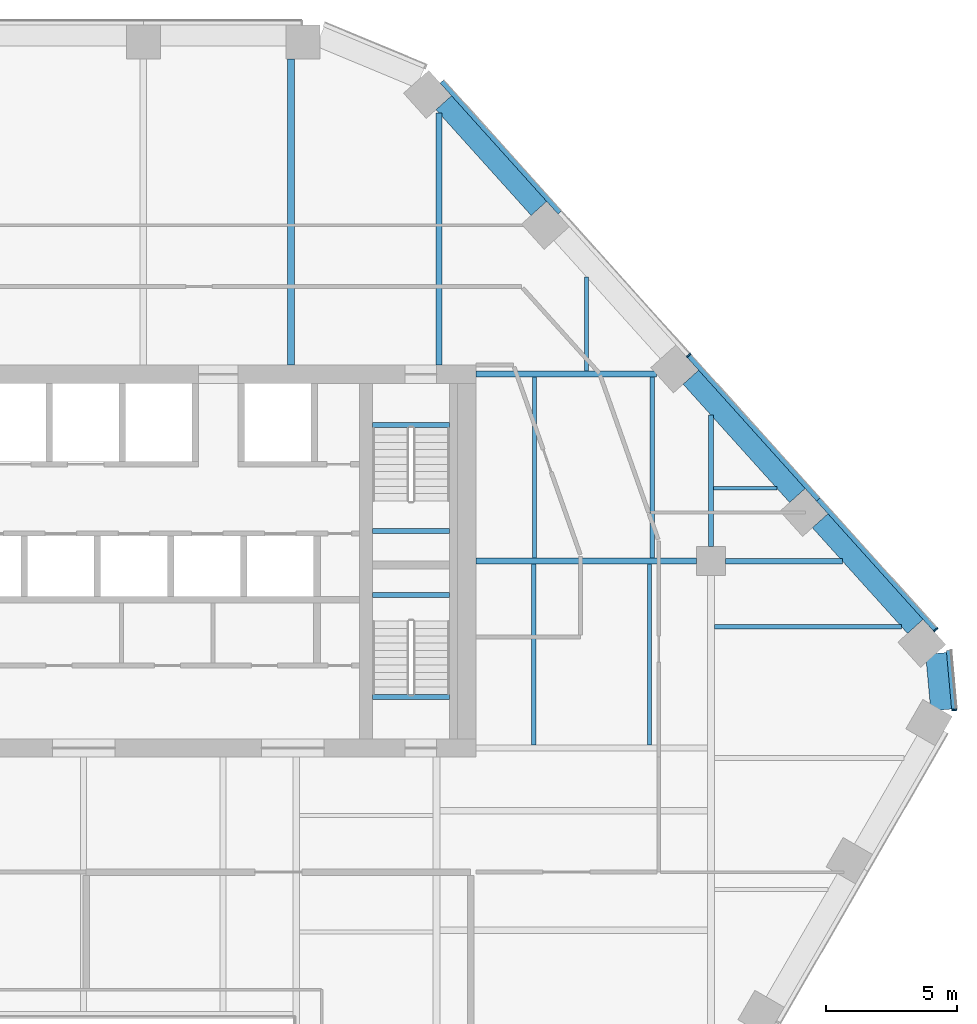
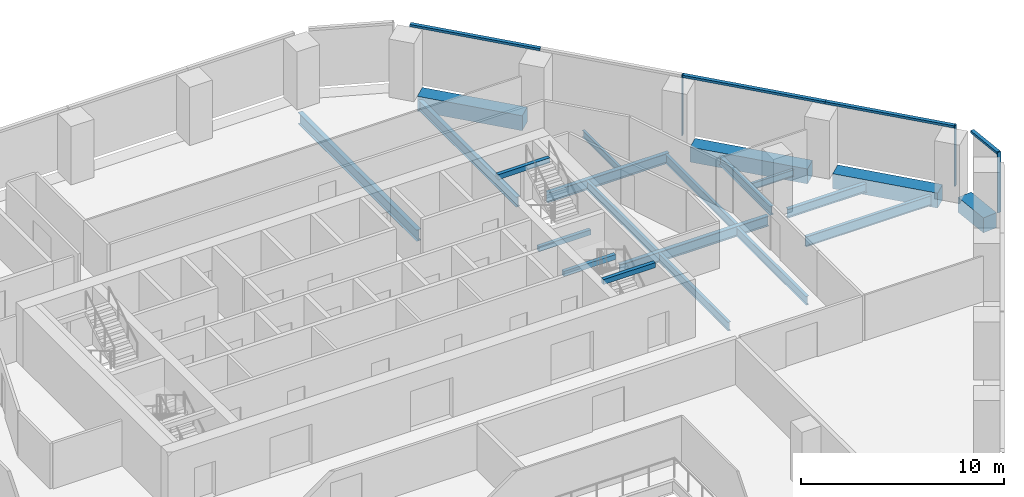
# One storey, part 8 of 17: 21 beams, 7 members, 2 elements without a shape of their own.
"""IFC4 building model written with IfcOpenShell, lengths in metres."""

import ifcopenshell
import ifcopenshell.guid

model = None  # the IFC model being written
_history = None  # IfcOwnerHistory: only IFC2X3 demands one
_inside = {}  # id of a spatial element -> (the spatial element, [elements in it])
_under = {}  # id of a project, library or spatial element -> (it, [spatial elements below it])
_declared = {}  # id of a project -> (the project, [libraries it declares])
_typed = {}  # id of a type object -> (the type object, [elements of that type])
_made_of = {}  # id of a material, layer set ... -> (it, [elements and type objects made of it])


def new_model(schema):
    """Start an empty IFC model of exactly this schema.

    Asked for "IFC4X3", IfcOpenShell would pick the latest addendum, in which some entities
    have other attributes; the version numbers below select the first issue.
    IFC2X3 requires an IfcOwnerHistory on every rooted entity: one is made here for all.
    """
    global model, _history
    if schema == "IFC4X3":
        model = ifcopenshell.file(schema_version=(4, 3, 0, 0))
    else:
        model = ifcopenshell.file(schema=schema)
    _inside.clear()
    _under.clear()
    _declared.clear()
    _typed.clear()
    _made_of.clear()
    _history = None
    if model.schema == "IFC2X3":
        org = make("IfcOrganization", Name="unknown")
        user = make(
            "IfcPersonAndOrganization",
            ThePerson=make("IfcPerson", FamilyName="unknown"),
            TheOrganization=org,
        )
        app = make(
            "IfcApplication",
            ApplicationDeveloper=org,
            Version="unknown",
            ApplicationFullName="unknown",
            ApplicationIdentifier="unknown",
        )
        _history = make(
            "IfcOwnerHistory",
            OwningUser=user,
            OwningApplication=app,
            ChangeAction="ADDED",
            CreationDate=0,
        )
    return model


def make(cls, **values):
    """One entity of the class cls with the attributes given. An attribute that is None is left unset."""
    return model.create_entity(
        cls, **{name: value for name, value in values.items() if value is not None}
    )


def rooted(cls, **values):
    """An entity with a GlobalId (a new one), such as an element, a storey or a relation."""
    return make(cls, GlobalId=ifcopenshell.guid.new(), OwnerHistory=_history, **values)


def si_unit(unit_type, name, prefix=None):
    """IfcSIUnit, for example si_unit("LENGTHUNIT", "METRE", prefix="MILLI")."""
    return make("IfcSIUnit", UnitType=unit_type, Prefix=prefix, Name=name)


def assignment(units):
    """IfcUnitAssignment: the units of a project."""
    return None if units is None else make("IfcUnitAssignment", Units=units)


def point(xyz):
    """IfcCartesianPoint."""
    return None if xyz is None else make("IfcCartesianPoint", Coordinates=xyz)


def direction(xyz):
    """IfcDirection."""
    return None if xyz is None else make("IfcDirection", DirectionRatios=xyz)


def frame(location, z_axis=None, x_axis=None):
    """IfcAxis2Placement3D, a coordinate frame: its origin and axes. An axis left out is left unset."""
    return make(
        "IfcAxis2Placement3D",
        Location=point(location),
        Axis=direction(z_axis),
        RefDirection=direction(x_axis),
    )


def frame_2d(location, x_axis=None):
    """IfcAxis2Placement2D, a coordinate frame in the plane: its origin and x axis."""
    return make(
        "IfcAxis2Placement2D", Location=point(location), RefDirection=direction(x_axis)
    )


def origin():
    """The frame at (0, 0, 0) with its axes left unset."""
    return frame((0.0, 0.0, 0.0))


def origin_2d():
    """The frame at (0, 0) in the plane with its x axis left unset."""
    return frame_2d((0.0, 0.0))


def place(relative_to, where):
    """IfcLocalPlacement: puts the frame where relative to a parent placement (None: the world)."""
    return make(
        "IfcLocalPlacement", PlacementRelTo=relative_to, RelativePlacement=where
    )


def context(
    kind, dimensions, precision=None, world=None, true_north=None, identifier=None
):
    """IfcGeometricRepresentationContext, for example the 3D "Model" context."""
    return make(
        "IfcGeometricRepresentationContext",
        ContextIdentifier=identifier,
        ContextType=kind,
        CoordinateSpaceDimension=dimensions,
        Precision=precision,
        WorldCoordinateSystem=world,
        TrueNorth=true_north,
    )


def subcontext(parent, identifier, kind, view, scale=None):
    """IfcGeometricRepresentationSubContext, for example "Body" below "Model"."""
    return make(
        "IfcGeometricRepresentationSubContext",
        ContextIdentifier=identifier,
        ContextType=kind,
        ParentContext=parent,
        TargetScale=scale,
        TargetView=view,
    )


def project(units=None, contexts=None):
    """IfcProject with its units and contexts."""
    return rooted(
        "IfcProject",
        Name="project",
        RepresentationContexts=contexts,
        UnitsInContext=assignment(units),
    )


def spatial(cls, under=None, at=None, **own):
    """A site, building, storey or space (cls), placed at a placement, below another one or the project."""
    s = rooted(cls, ObjectPlacement=at, **own)
    if under is not None:
        _under.setdefault(under.id(), (under, []))[1].append(s)
    return s


def profile(cls, at=None, kind="AREA", **sizes):
    """A parametric profile (cls). Its sizes go by their IFC names, for example OverallWidth=200.0."""
    return make(cls, ProfileType=kind, Position=at, **sizes)


def rectangle(**sizes):
    """IfcRectangleProfileDef."""
    return profile("IfcRectangleProfileDef", **sizes)


def i_section(**sizes):
    """IfcIShapeProfileDef."""
    return profile("IfcIShapeProfileDef", **sizes)


def extrude(swept, where, along, depth):
    """IfcExtrudedAreaSolid: the profile swept, set in the frame where, extruded along a direction by depth."""
    return make(
        "IfcExtrudedAreaSolid",
        SweptArea=swept,
        Position=where,
        ExtrudedDirection=direction(along),
        Depth=depth,
    )


def shape(context_of_items, identifier, shape_type, items):
    """IfcShapeRepresentation: the items that make up one representation, for example the "Body"."""
    return make(
        "IfcShapeRepresentation",
        ContextOfItems=context_of_items,
        RepresentationIdentifier=identifier,
        RepresentationType=shape_type,
        Items=items,
    )


def material(Name=None, Category=None):
    """IfcMaterial."""
    return make("IfcMaterial", Name=Name, Category=Category)


def layer(
    of_material, thickness, ventilated=None, Name=None, Category=None, Priority=None
):
    """IfcMaterialLayer: one layer of a wall or slab, of a material (None: an air gap)."""
    return make(
        "IfcMaterialLayer",
        Material=of_material,
        LayerThickness=thickness,
        IsVentilated=ventilated,
        Name=Name,
        Category=Category,
        Priority=Priority,
    )


def layer_set(layers, Name=None):
    """IfcMaterialLayerSet."""
    return make("IfcMaterialLayerSet", MaterialLayers=layers, LayerSetName=Name)


def material_profile(
    of_material, cross_section, Name=None, Category=None, Priority=None
):
    """IfcMaterialProfile: a cross section and its material."""
    return make(
        "IfcMaterialProfile",
        Name=Name,
        Material=of_material,
        Profile=cross_section,
        Priority=Priority,
        Category=Category,
    )


def profile_set(profiles, Name=None, composite=None):
    """IfcMaterialProfileSet."""
    return make(
        "IfcMaterialProfileSet",
        Name=Name,
        MaterialProfiles=profiles,
        CompositeProfile=composite,
    )


def made_of(thing, what):
    """Note that an element or type object is made of a material, layer set ...; save() writes the relation."""
    if what is not None:
        _made_of.setdefault(what.id(), (what, []))[1].append(thing)
    return thing


def type_object(cls, material=None, **own):
    """A type object (cls), such as IfcWallType, which elements share."""
    return made_of(rooted(cls, **own), material)


def element(
    cls,
    number,
    at=None,
    inside=None,
    cuts=None,
    type_object=None,
    material=None,
    context=None,
    identifier="Body",
    shape_type=None,
    held_by="IfcProductDefinitionShape",
    body=None,
    shapes=None,
    **own,
):
    """One element of the class cls, such as IfcWall. Its Tag is "e" and its number.

    at: its placement. inside: the storey or other place that contains it. cuts: it is an
    opening in that element (IfcRelVoidsElement). A single representation is given by context,
    identifier, shape_type and body (its items); several are given by shapes. held_by: the class
    of the entity that holds the representations. save() writes the other relations.
    """
    e = rooted(cls, Tag="e%d" % number, ObjectPlacement=at, **own)
    if body is not None:
        shapes = [shape(context, identifier, shape_type, body)]
    if shapes is not None:
        e.Representation = make(held_by, Representations=shapes)
    if inside is not None:
        _inside.setdefault(inside.id(), (inside, []))[1].append(e)
    if cuts is not None:
        rooted(
            "IfcRelVoidsElement", RelatingBuildingElement=cuts, RelatedOpeningElement=e
        )
    if type_object is not None:
        _typed.setdefault(type_object.id(), (type_object, []))[1].append(e)
    return made_of(e, material)


def aggregate(whole, parts):
    """IfcRelAggregates: a whole, such as a stair, and the parts it consists of."""
    return rooted("IfcRelAggregates", RelatingObject=whole, RelatedObjects=parts)


def save(model, path):
    """Write the relations noted so far, then the file.

    IfcRelAggregates (storeys below a building ...), IfcRelContainedInSpatialStructure (elements
    in a storey), IfcRelDefinesByType, IfcRelAssociatesMaterial and IfcRelDeclares: one each for
    every whole, place, type object, material and project.
    """
    for whole, parts in _under.values():
        aggregate(whole, parts)
    for where, things in _inside.values():
        rooted(
            "IfcRelContainedInSpatialStructure",
            RelatedElements=things,
            RelatingStructure=where,
        )
    for kind, things in _typed.values():
        rooted("IfcRelDefinesByType", RelatedObjects=things, RelatingType=kind)
    for what, things in _made_of.values():
        rooted("IfcRelAssociatesMaterial", RelatedObjects=things, RelatingMaterial=what)
    for by, libraries in _declared.values():
        rooted("IfcRelDeclares", RelatingContext=by, RelatedDefinitions=libraries)
    model.write(path)


model = new_model("IFC4")

# Units and contexts
model_context = context("Model", 3, precision=1e-05, world=origin(), true_north=direction((0.0, 1.0)))
body_context = subcontext(model_context, "Body", "Model", "MODEL_VIEW")
ifc_project = project(units=[si_unit("LENGTHUNIT", "METRE"), si_unit("AREAUNIT", "SQUARE_METRE"), si_unit("VOLUMEUNIT", "CUBIC_METRE"), si_unit("PLANEANGLEUNIT", "RADIAN"), si_unit("MASSUNIT", "GRAM", prefix="KILO")], contexts=[model_context])

# Site, building, storey
site_placement = place(None, origin())
site = spatial("IfcSite", under=ifc_project, at=site_placement, CompositionType="ELEMENT")
building_placement = place(site_placement, origin())
building = spatial("IfcBuilding", under=site, at=building_placement, Name="Isthmus Gate Tower", CompositionType="ELEMENT")
storey_placement = place(building_placement, frame((0.0, 0.0, 181.75)))
storey = spatial("IfcBuildingStorey", under=building, at=storey_placement, Name="L45", CompositionType="ELEMENT", Elevation=181.75)

# Curtain wall, member
ifc_material_1 = material(Name="Aluminium, pale champagne anodised", Category="aluminium")
ifc_layer = layer(ifc_material_1, 0.199951171875)
ifc_layer_set = layer_set([ifc_layer], Name="CW-1 UNITISED CURTAIN WALL 200 DEEP")
curtain_wall_type = type_object("IfcCurtainWallType", Name="CW-1 UNITISED CURTAIN WALL 200 DEEP", PredefinedType="NOTDEFINED", material=ifc_layer_set)
curtain_wall_1_placement = place(storey_placement, origin())
curtain_wall_1 = element("IfcCurtainWall", 1, at=curtain_wall_1_placement, inside=storey, type_object=curtain_wall_type, Name="CW-1 SE-NE L45", PredefinedType="NOTDEFINED")
ifc_material_2 = material(Name="Aluminium, pale champagne anodised", Category="aluminium")
ifc_material_profile_1 = material_profile(ifc_material_2, rectangle(XDim=0.06005859375, YDim=0.199951171875, at=origin_2d()), Name="60x200")
ifc_profile_set_1 = profile_set([ifc_material_profile_1], Name="Aluminium, pale champagne anodised")
member_type_1 = type_object("IfcMemberType", Name="CW-1 MULLION 60 X 200", PredefinedType="MULLION", material=ifc_profile_set_1)
member_1_placement = place(storey_placement, frame((33.307861328125, 1.804443359375, 0.0), z_axis=(0.0, 0.0, 1.0), x_axis=(-0.089396669717, 0.995996102123, 0.0)))
member_1 = element("IfcMember", 2, at=member_1_placement, type_object=member_type_1, Name="CW-1 mullion", PredefinedType="MULLION", context=body_context, shape_type="SweptSolid", body=[
    extrude(rectangle(XDim=0.06005859375, YDim=0.199951171875, at=origin_2d()), origin(), (0.0, 0.0, 1.0), 3.64990234375),
])

# Curtain wall, members
curtain_wall_2_placement = place(storey_placement, origin())
curtain_wall_2 = element("IfcCurtainWall", 3, at=curtain_wall_2_placement, inside=storey, type_object=curtain_wall_type, Name="CW-1 NE L45", PredefinedType="NOTDEFINED")
member_2_placement = place(storey_placement, frame((32.602783203125, 4.871337890625, 0.0), z_axis=(0.0, 0.0, 1.0), x_axis=(-0.669130606359, 0.743144825477, 0.0)))
member_2 = element("IfcMember", 4, at=member_2_placement, type_object=member_type_1, Name="CW-1 mullion", PredefinedType="MULLION", context=body_context, shape_type="SweptSolid", body=[
    extrude(rectangle(XDim=0.06005859375, YDim=0.199951171875, at=origin_2d()), origin(), (0.0, 0.0, 1.0), 3.64990234375),
])
member_3_placement = place(storey_placement, frame((23.14697265625, 15.373046875, 0.0), z_axis=(0.0, 0.0, 1.0), x_axis=(-0.669130606359, 0.743144825477, 0.0)))
member_3 = element("IfcMember", 5, at=member_3_placement, type_object=member_type_1, Name="CW-1 mullion", PredefinedType="MULLION", context=body_context, shape_type="SweptSolid", body=[
    extrude(rectangle(XDim=0.06005859375, YDim=0.199951171875, at=origin_2d()), origin(), (0.0, 0.0, 1.0), 3.64990234375),
])

# Member
ifc_material_3 = material(Name="Aluminium, pale champagne anodised", Category="aluminium")
ifc_material_profile_2 = material_profile(ifc_material_3, rectangle(XDim=0.199951171875, YDim=0.139892578125, at=origin_2d()), Name="200x140")
ifc_profile_set_2 = profile_set([ifc_material_profile_2], Name="Aluminium, pale champagne anodised")
member_type_2 = type_object("IfcMemberType", Name="CW-1 TRANSOM 200 X 140", PredefinedType="USERDEFINED", material=ifc_profile_set_2)
member_4_placement = place(storey_placement, frame((33.30517578125, 1.83447265625, 3.580078125), z_axis=(-0.089395362867, 0.995996219419, 0.0), x_axis=(-0.995996219419, -0.089395362867, 0.0)))
member_4 = element("IfcMember", 6, at=member_4_placement, type_object=member_type_2, Name="CW-1 transom", ObjectType="TRANSOM", PredefinedType="USERDEFINED", context=body_context, shape_type="SweptSolid", body=[
    extrude(rectangle(XDim=0.199951171875, YDim=0.139892578125, at=origin_2d()), origin(), (0.0, 0.0, 1.0), 2.258544921875),
])

aggregate(curtain_wall_1, [member_1, member_4])

member_5_placement = place(storey_placement, frame((32.582763671875, 4.8935546875, 3.580078125), z_axis=(-0.669138342957, 0.74313785934, 0.0), x_axis=(-0.74313785934, -0.669138342957, 0.0)))
member_5 = element("IfcMember", 7, at=member_5_placement, type_object=member_type_2, Name="CW-1 transom", ObjectType="TRANSOM", PredefinedType="USERDEFINED", context=body_context, shape_type="SweptSolid", body=[
    extrude(rectangle(XDim=0.199951171875, YDim=0.139892578125, at=origin_2d()), origin(), (0.0, 0.0, 1.0), 6.680908203125),
])

member_6_placement = place(storey_placement, frame((28.1123046875, 9.8583984375, 3.580078125), z_axis=(-0.669123495435, 0.74315122812, 0.0), x_axis=(-0.74315122812, -0.669123495435, 0.0)))
member_6 = element("IfcMember", 8, at=member_6_placement, type_object=member_type_2, Name="CW-1 transom", ObjectType="TRANSOM", PredefinedType="USERDEFINED", context=body_context, shape_type="SweptSolid", body=[
    extrude(rectangle(XDim=0.199951171875, YDim=0.139892578125, at=origin_2d()), origin(), (0.0, 0.0, 1.0), 7.390625),
])

member_7_placement = place(storey_placement, frame((18.221435546875, 20.84326171875, 3.580078125), z_axis=(-0.669102791064, 0.743169869538, 0.0), x_axis=(-0.743169869538, -0.669102791064, 0.0)))
member_7 = element("IfcMember", 9, at=member_7_placement, type_object=member_type_2, Name="CW-1 transom", ObjectType="TRANSOM", PredefinedType="USERDEFINED", context=body_context, shape_type="SweptSolid", body=[
    extrude(rectangle(XDim=0.199951171875, YDim=0.139892578125, at=origin_2d()), origin(), (0.0, 0.0, 1.0), 6.74072265625),
])

aggregate(curtain_wall_2, [member_2, member_5, member_6, member_3, member_7])

# Beams
ifc_material_4 = material(Name="Concrete f'c 60 MPa", Category="concrete")
ifc_material_profile_3 = material_profile(ifc_material_4, rectangle(XDim=0.800048828125, YDim=0.89990234375, at=origin_2d()), Name="RC 800X900")
ifc_profile_set_3 = profile_set([ifc_material_profile_3], Name="Concrete f'c 60 MPa")
beam_type_1 = type_object("IfcBeamType", Name="RC SPANDREL 800 X 900", PredefinedType="SPANDREL", material=ifc_profile_set_3)
beam_1_placement = place(storey_placement, frame((13.7744140625, 25.03515625, -0.449951171875), z_axis=(0.669118419563, -0.743155798337, 0.0), x_axis=(0.743155798337, 0.669118419563, 0.0)))
element("IfcBeam", 10, at=beam_1_placement, inside=storey, type_object=beam_type_1, Name="str-spandrel-L45-01", PredefinedType="SPANDREL", context=body_context, shape_type="SweptSolid", body=[
    extrude(rectangle(XDim=0.800048828125, YDim=0.89990234375, at=origin_2d()), origin(), (0.0, 0.0, 1.0), 5.44091796875),
])
beam_2_placement = place(storey_placement, frame((23.230224609375, 14.533203125, -0.449951171875), z_axis=(0.669141874065, -0.743134679835, 0.0), x_axis=(0.743134679835, 0.669141874065, 0.0)))
element("IfcBeam", 11, at=beam_2_placement, inside=storey, type_object=beam_type_1, Name="str-spandrel-L45-03", PredefinedType="SPANDREL", context=body_context, shape_type="SweptSolid", body=[
    extrude(rectangle(XDim=0.800048828125, YDim=0.89990234375, at=origin_2d()), origin(), (0.0, 0.0, 1.0), 6.0908203125),
])
beam_3_placement = place(storey_placement, frame((28.17578125, 9.040771484375, -0.449951171875), z_axis=(0.669140732593, -0.74313570765, 0.0), x_axis=(0.74313570765, 0.669140732593, 0.0)))
element("IfcBeam", 12, at=beam_3_placement, inside=storey, type_object=beam_type_1, Name="str-spandrel-L45-04", PredefinedType="SPANDREL", context=body_context, shape_type="SweptSolid", body=[
    extrude(rectangle(XDim=0.800048828125, YDim=0.89990234375, at=origin_2d()), origin(), (0.0, 0.0, 1.0), 5.440673828125),
])
beam_4_placement = place(storey_placement, frame((32.61181640625, 3.964599609375, -0.449951171875), z_axis=(0.089421511639, -0.995993872098, 0.0), x_axis=(0.995993872098, 0.089421511639, 0.0)))
element("IfcBeam", 13, at=beam_4_placement, inside=storey, type_object=beam_type_1, Name="str-spandrel-L45-05", PredefinedType="SPANDREL", context=body_context, shape_type="SweptSolid", body=[
    extrude(rectangle(XDim=0.800048828125, YDim=0.89990234375, at=origin_2d()), origin(), (0.0, 0.0, 1.0), 2.17333984375),
])
ifc_material_5 = material(Name="Concrete f'c 40 MPa", Category="concrete")
ifc_material_profile_4 = material_profile(ifc_material_5, rectangle(XDim=0.199951171875, YDim=0.300048828125, at=origin_2d()), Name="STAIR LANDING BEAM RC 200 X 300")
ifc_profile_set_4 = profile_set([ifc_material_profile_4], Name="Concrete f'c 40 MPa")
beam_type_2 = type_object("IfcBeamType", Name="STAIR LANDING BEAM RC 200 X 300", PredefinedType="BEAM", material=ifc_profile_set_4)
for number, where, z_axis, x_axis, name in (
    (14, (11.050048828125, 8.64990234375, 1.47509765625), (1.0, 0.0, 0.0), (0.0, 1.0, 0.0), "L45 ST2 landing beam 1"),
    (15, (11.050048828125, 12.7001953125, 3.35009765625), (1.0, 0.0, 0.0), (0.0, 1.0, 0.0), "L45 ST2 floor-edge seat beam"),
    (16, (11.050048828125, 6.199951171875, 1.47509765625), (1.0, 0.0, 0.0), (0.0, 1.0, 0.0), "L45 ST8 landing beam 1"),
    (17, (11.050048828125, 2.2998046875, 3.35009765625), (1.0, 0.0, 0.0), (0.0, 1.0, 0.0), "L45 ST8 floor-edge seat beam"),
):
    element("IfcBeam", number, at=place(storey_placement, frame(where, z_axis=z_axis, x_axis=x_axis)), inside=storey, type_object=beam_type_2, Name=name, PredefinedType="BEAM", context=body_context, shape_type="SweptSolid", body=[
        extrude(rectangle(XDim=0.199951171875, YDim=0.300048828125, at=origin_2d()), origin(), (0.0, 0.0, 1.0), 2.949951171875),
    ])
ifc_material_6 = material(Name="Structural steel ASTM A992 Gr 50", Category="steel")
ifc_material_profile_5 = material_profile(ifc_material_6, i_section(OverallWidth=0.1396484375, OverallDepth=0.4033203125, WebThickness=0.00634765625, FlangeThickness=0.010986328125, at=origin_2d()), Name="W16X31")
ifc_profile_set_5 = profile_set([ifc_material_profile_5], Name="Structural steel ASTM A992 Gr 50")
beam_type_3 = type_object("IfcBeamType", Name="STEEL FLOOR BEAM W16X31", PredefinedType="JOIST", material=ifc_profile_set_5)
beam_5_placement = place(storey_placement, frame((19.23681640625, 14.764404296875, -0.3515625), z_axis=(0.0, 1.0, 0.0), x_axis=(-1.0, 0.0, 0.0)))
element("IfcBeam", 18, at=beam_5_placement, inside=storey, type_object=beam_type_3, Name="str-beam-L45-05-07", PredefinedType="JOIST", context=body_context, shape_type="SweptSolid", body=[
    extrude(i_section(OverallWidth=0.1396484375, OverallDepth=0.4033203125, WebThickness=0.00634765625, FlangeThickness=0.010986328125, at=origin_2d()), origin(), (0.0, 0.0, 1.0), 3.6064453125),
])
beam_6_placement = place(storey_placement, frame((24.104736328125, 10.284423828125, -0.3515625), z_axis=(1.0, 0.0, 0.0), x_axis=(0.0, 1.0, 0.0)))
element("IfcBeam", 19, at=beam_6_placement, inside=storey, type_object=beam_type_3, Name="str-beam-L45-15-00", PredefinedType="JOIST", context=body_context, shape_type="SweptSolid", body=[
    extrude(i_section(OverallWidth=0.1396484375, OverallDepth=0.4033203125, WebThickness=0.00634765625, FlangeThickness=0.010986328125, at=origin_2d()), origin(), (0.0, 0.0, 1.0), 2.412841796875),
])
ifc_material_7 = material(Name="Structural steel ASTM A992 Gr 50", Category="steel")
ifc_material_profile_6 = material_profile(ifc_material_7, i_section(OverallWidth=0.1650390625, OverallDepth=0.52392578125, WebThickness=0.009521484375, FlangeThickness=0.010986328125, at=origin_2d()), Name="W21X44")
ifc_profile_set_6 = profile_set([ifc_material_profile_6], Name="Structural steel ASTM A992 Gr 50")
beam_type_4 = type_object("IfcBeamType", Name="STEEL FLOOR BEAM W21X44", PredefinedType="JOIST", material=ifc_profile_set_6)
for number, where, z_axis, x_axis, name in (
    (20, (17.25, 7.6142578125, -0.411865234375), (0.0, 1.0, 0.0), (-1.0, 0.0, 0.0), "str-beam-L45-13-00"),
    (21, (21.75, 7.6142578125, -0.411865234375), (0.0, 1.0, 0.0), (-1.0, 0.0, 0.0), "str-beam-L45-13-01"),
    (22, (17.216552734375, 0.46435546875, -0.411865234375), (0.0, 1.0, 0.0), (-1.0, 0.0, 0.0), "str-beam-L45-14-00"),
    (23, (21.64990234375, 0.46435546875, -0.411865234375), (0.0, 1.0, 0.0), (-1.0, 0.0, 0.0), "str-beam-L45-14-01"),
):
    element("IfcBeam", number, at=place(storey_placement, frame(where, z_axis=z_axis, x_axis=x_axis)), inside=storey, type_object=beam_type_4, Name=name, PredefinedType="JOIST", context=body_context, shape_type="SweptSolid", body=[
        extrude(i_section(OverallWidth=0.1650390625, OverallDepth=0.52392578125, WebThickness=0.009521484375, FlangeThickness=0.010986328125, at=origin_2d()), origin(), (0.0, 0.0, 1.0), 6.92138671875),
    ])
ifc_material_8 = material(Name="Structural steel ASTM A992 Gr 50", Category="steel")
ifc_material_profile_7 = material_profile(ifc_material_8, i_section(OverallWidth=0.177734375, OverallDepth=0.60009765625, WebThickness=0.009521484375, FlangeThickness=0.0126953125, at=origin_2d()), Name="W24X55")
ifc_profile_set_7 = profile_set([ifc_material_profile_7], Name="Structural steel ASTM A992 Gr 50")
beam_type_5 = type_object("IfcBeamType", Name="STEEL FLOOR BEAM W24X55", PredefinedType="JOIST", material=ifc_profile_set_7)
beam_7_placement = place(storey_placement, frame((24.13330078125, 4.987548828125, -0.449951171875), z_axis=(1.0, 0.0, 0.0), x_axis=(0.0, 1.0, 0.0)))
element("IfcBeam", 24, at=beam_7_placement, inside=storey, type_object=beam_type_5, Name="str-beam-L45-16-02", PredefinedType="JOIST", context=body_context, shape_type="SweptSolid", body=[
    extrude(i_section(OverallWidth=0.177734375, OverallDepth=0.60009765625, WebThickness=0.009521484375, FlangeThickness=0.0126953125, at=origin_2d()), origin(), (0.0, 0.0, 1.0), 7.15380859375),
])
ifc_material_9 = material(Name="Structural steel ASTM A992 Gr 50", Category="steel")
ifc_material_profile_8 = material_profile(ifc_material_9, i_section(OverallWidth=0.228515625, OverallDepth=0.603271484375, WebThickness=0.010986328125, FlangeThickness=0.014404296875, at=origin_2d()), Name="W24X68")
ifc_profile_set_8 = profile_set([ifc_material_profile_8], Name="Structural steel ASTM A992 Gr 50")
beam_type_6 = type_object("IfcBeamType", Name="STEEL FLOOR BEAM W24X68", PredefinedType="JOIST", material=ifc_profile_set_8)
beam_8_placement = place(storey_placement, frame((13.583984375, 15.0, -0.45166015625), z_axis=(0.0, 1.0, 0.0), x_axis=(-1.0, 0.0, 0.0)))
element("IfcBeam", 25, at=beam_8_placement, inside=storey, type_object=beam_type_6, Name="str-beam-L45-05-06", PredefinedType="JOIST", context=body_context, shape_type="SweptSolid", body=[
    extrude(i_section(OverallWidth=0.228515625, OverallDepth=0.603271484375, WebThickness=0.010986328125, FlangeThickness=0.014404296875, at=origin_2d()), origin(), (0.0, 0.0, 1.0), 9.648681640625),
])
ifc_material_10 = material(Name="Structural steel ASTM A992 Gr 50", Category="steel")
ifc_material_profile_9 = material_profile(ifc_material_10, i_section(OverallWidth=0.25390625, OverallDepth=0.679443359375, WebThickness=0.010986328125, FlangeThickness=0.015869140625, at=origin_2d()), Name="W27X84")
ifc_profile_set_9 = profile_set([ifc_material_profile_9], Name="Structural steel ASTM A992 Gr 50")
beam_type_7 = type_object("IfcBeamType", Name="STEEL FLOOR BEAM W27X84", PredefinedType="JOIST", material=ifc_profile_set_9)
beam_9_placement = place(storey_placement, frame((7.93115234375, 15.0, -0.48974609375), z_axis=(0.0, 1.0, 0.0), x_axis=(-1.0, 0.0, 0.0)))
element("IfcBeam", 26, at=beam_9_placement, inside=storey, type_object=beam_type_7, Name="str-beam-L45-05-05", PredefinedType="JOIST", context=body_context, shape_type="SweptSolid", body=[
    extrude(i_section(OverallWidth=0.25390625, OverallDepth=0.679443359375, WebThickness=0.010986328125, FlangeThickness=0.015869140625, at=origin_2d()), origin(), (0.0, 0.0, 1.0), 11.699951171875),
])
ifc_material_11 = material(Name="Structural steel ASTM A992 Gr 50", Category="steel")
ifc_material_profile_10 = material_profile(ifc_material_11, i_section(OverallWidth=0.20947265625, OverallDepth=0.533447265625, WebThickness=0.009521484375, FlangeThickness=0.015869140625, at=origin_2d()), Name="W21X62")
ifc_profile_set_10 = profile_set([ifc_material_profile_10], Name="Structural steel ASTM A992 Gr 50")
beam_type_8 = type_object("IfcBeamType", Name="STEEL GIRDER W21X62", PredefinedType="BEAM", material=ifc_profile_set_10)
beam_10_placement = place(storey_placement, frame((24.550048828125, 7.5, -0.416748046875), z_axis=(1.0, 0.0, 0.0), x_axis=(0.0, 1.0, 0.0)))
element("IfcBeam", 27, at=beam_10_placement, inside=storey, type_object=beam_type_8, Name="str-girder-L45-06", PredefinedType="BEAM", context=body_context, shape_type="SweptSolid", body=[
    extrude(i_section(OverallWidth=0.20947265625, OverallDepth=0.533447265625, WebThickness=0.009521484375, FlangeThickness=0.015869140625, at=origin_2d()), origin(), (0.0, 0.0, 1.0), 4.474853515625),
])
beam_11_placement = place(storey_placement, frame((24.0, 8.050048828125, -0.416748046875), z_axis=(0.0, 1.0, 0.0), x_axis=(-1.0, 0.0, 0.0)))
element("IfcBeam", 28, at=beam_11_placement, inside=storey, type_object=beam_type_8, Name="str-girder-L45-12", PredefinedType="BEAM", context=body_context, shape_type="SweptSolid", body=[
    extrude(i_section(OverallWidth=0.20947265625, OverallDepth=0.533447265625, WebThickness=0.009521484375, FlangeThickness=0.015869140625, at=origin_2d()), origin(), (0.0, 0.0, 1.0), 5.030517578125),
])
ifc_material_12 = material(Name="Structural steel ASTM A992 Gr 50", Category="steel")
ifc_material_profile_11 = material_profile(ifc_material_12, i_section(OverallWidth=0.228515625, OverallDepth=0.603271484375, WebThickness=0.010986328125, FlangeThickness=0.014404296875, at=origin_2d()), Name="W24X68")
ifc_profile_set_11 = profile_set([ifc_material_profile_11], Name="Structural steel ASTM A992 Gr 50")
beam_type_9 = type_object("IfcBeamType", Name="STEEL GIRDER W24X68", PredefinedType="BEAM", material=ifc_profile_set_11)
beam_12_placement = place(storey_placement, frame((15.0, 14.64990234375, -0.45166015625), z_axis=(1.0, 0.0, 0.0), x_axis=(0.0, 1.0, 0.0)))
element("IfcBeam", 29, at=beam_12_placement, inside=storey, type_object=beam_type_9, Name="str-girder-L45-16", PredefinedType="BEAM", context=body_context, shape_type="SweptSolid", body=[
    extrude(i_section(OverallWidth=0.228515625, OverallDepth=0.603271484375, WebThickness=0.010986328125, FlangeThickness=0.014404296875, at=origin_2d()), origin(), (0.0, 0.0, 1.0), 6.9140625),
])
ifc_material_13 = material(Name="Structural steel ASTM A992 Gr 50", Category="steel")
ifc_material_profile_12 = material_profile(ifc_material_13, i_section(OverallWidth=0.228515625, OverallDepth=0.6064453125, WebThickness=0.010986328125, FlangeThickness=0.017578125, at=origin_2d()), Name="W24X76")
ifc_profile_set_12 = profile_set([ifc_material_profile_12], Name="Structural steel ASTM A992 Gr 50")
beam_type_10 = type_object("IfcBeamType", Name="STEEL GIRDER W24X76", PredefinedType="BEAM", material=ifc_profile_set_12)
beam_13_placement = place(storey_placement, frame((15.0, 7.5, -0.453125), z_axis=(1.0, 0.0, 0.0), x_axis=(0.0, 1.0, 0.0)))
element("IfcBeam", 30, at=beam_13_placement, inside=storey, type_object=beam_type_10, Name="str-girder-L45-05", PredefinedType="BEAM", context=body_context, shape_type="SweptSolid", body=[
    extrude(i_section(OverallWidth=0.228515625, OverallDepth=0.6064453125, WebThickness=0.010986328125, FlangeThickness=0.017578125, at=origin_2d()), origin(), (0.0, 0.0, 1.0), 8.449951171875),
])

save(model, "model.ifc")
